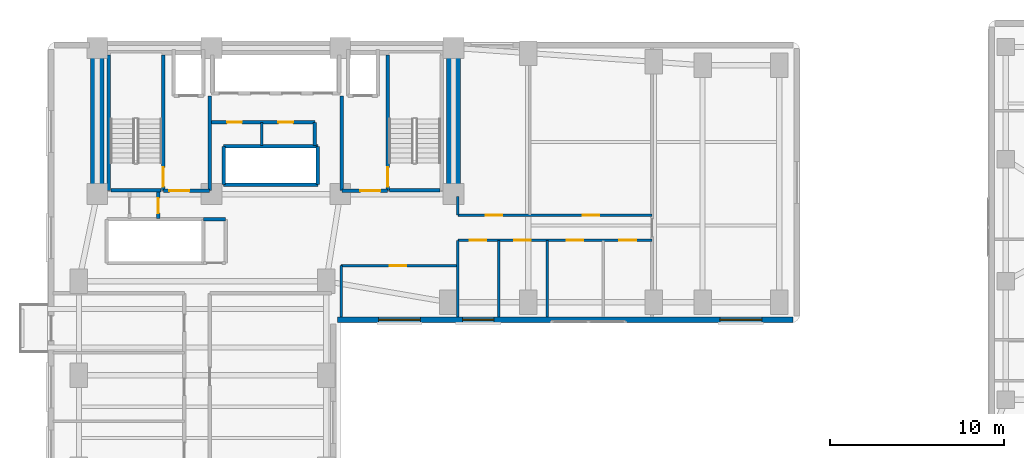
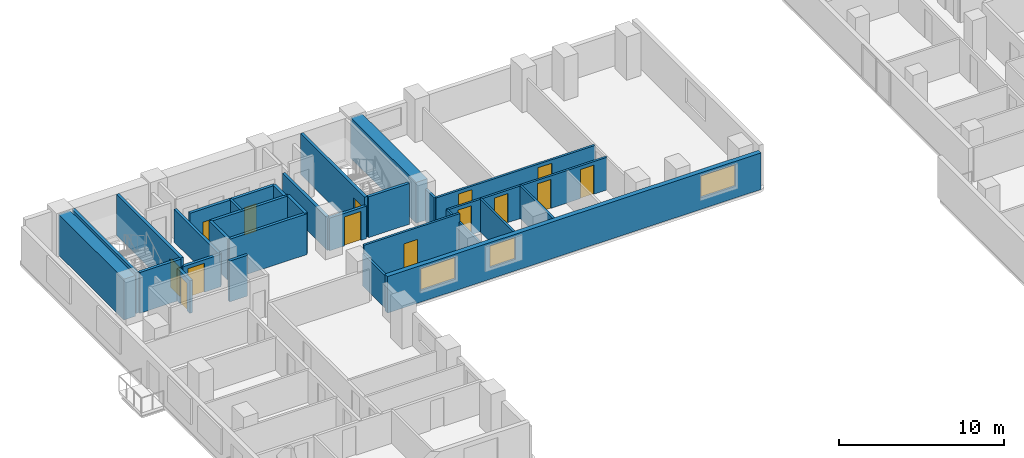
# One storey, part 11 of 18: 29 walls, 14 doors, 3 windows, 17 openings.
"""IFC4 building model written with IfcOpenShell, lengths in metres."""

from ifc_helpers import new_model, si_unit, direction, frame, frame_2d, origin, place, context, subcontext, project, spatial, rectangle, extrude, material, layer, layer_set, type_object, element, fill, save


model = new_model("IFC4")

# Units and contexts
model_context = context("Model", 3, precision=1e-05, world=origin(), true_north=direction((0.0, 1.0)))
body_context = subcontext(model_context, "Body", "Model", "MODEL_VIEW")
ifc_project = project(units=[si_unit("LENGTHUNIT", "METRE"), si_unit("AREAUNIT", "SQUARE_METRE"), si_unit("VOLUMEUNIT", "CUBIC_METRE"), si_unit("PLANEANGLEUNIT", "RADIAN"), si_unit("MASSUNIT", "GRAM", prefix="KILO")], contexts=[model_context])

# Site, building, storey
site_placement = place(None, origin())
site = spatial("IfcSite", under=ifc_project, at=site_placement, CompositionType="ELEMENT")
building_placement = place(site_placement, origin())
building = spatial("IfcBuilding", under=site, at=building_placement, Name="Kuzgunbayir Cultural Tower", CompositionType="ELEMENT")
storey_placement = place(building_placement, frame((0.0, 0.0, 53.199951171875)))
storey = spatial("IfcBuildingStorey", under=building, at=storey_placement, Name="L14", CompositionType="ELEMENT", Elevation=53.199951171875)

# Walls
ifc_material_1 = material(Name="Concrete C60/75", Category="concrete")
ifc_layer_1 = layer(ifc_material_1, 0.800048828125)
ifc_layer_set_1 = layer_set([ifc_layer_1], Name="Concrete C60/75")
wall_type_1 = type_object("IfcWallType", Name="WAL-CORE-800", PredefinedType="SHEAR", material=ifc_layer_set_1)
for number, where, z_axis, x_axis, name in (
    (1, (6.449951171875, 33.800048828125, 0.0), (0.0, 0.0, 1.0), (0.0, 1.0, 0.0), "L14 T1 Core West Shear Wall"),
    (2, (26.89990234375, 33.800048828125, 0.0), (0.0, 0.0, 1.0), (0.0, 1.0, 0.0), "L14 T1 Core East Shear Wall"),
):
    element("IfcWall", number, at=place(storey_placement, frame(where, z_axis=z_axis, x_axis=x_axis)), inside=storey, type_object=wall_type_1, Name=name, PredefinedType="SHEAR", context=body_context, shape_type="SweptSolid", body=[
        extrude(rectangle(XDim=7.949951171875, YDim=0.800048828125, at=frame_2d((3.97509765625, 0.0))), origin(), (0.0, 0.0, 1.0), 3.02001953125),
    ])

# Wall, openings, windows
ifc_material_2 = material(Name="Travertine Buff Ashlar", Category="masonry")
ifc_layer_2 = layer(ifc_material_2, 0.320068359375)
ifc_layer_set_2 = layer_set([ifc_layer_2], Name="Travertine Buff Ashlar")
wall_type_2 = type_object("IfcWallType", Name="WAL-EXT-STONE-320", PredefinedType="STANDARD", material=ifc_layer_set_2)
wall_1_placement = place(storey_placement, frame((20.25, 26.60009765625, 0.0), z_axis=(0.0, 0.0, 1.0), x_axis=(1.0, 0.0, 0.0)))
wall_1 = element("IfcWall", 3, at=wall_1_placement, inside=storey, type_object=wall_type_2, Name="L14 Wing B South Limestone Wall", PredefinedType="STANDARD", context=body_context, shape_type="SweptSolid", body=[
    extrude(rectangle(XDim=26.14990234375, YDim=0.320068359375, at=frame_2d((13.074951171875, 0.0))), origin(), (0.0, 0.0, 1.0), 2.7099609375),
])
opening_1_placement = place(wall_1_placement, frame((2.35009765625, 0.0, 0.85009765625)))
opening_1 = element("IfcOpeningElement", 4, at=opening_1_placement, cuts=wall_1, Name="Opening WO-24", PredefinedType="OPENING", context=body_context, shape_type="SweptSolid", body=[
    extrude(rectangle(XDim=2.39990234375, YDim=1.610107421875, at=frame_2d((1.199951171875, 0.80517578125))), frame((0.0, 0.169921875, 0.0), z_axis=(0.0, -1.0, 0.0), x_axis=(1.0, 0.0, 0.0)), (0.0, 0.0, 1.0), 0.340087890625),
])
opening_2_placement = place(wall_1_placement, frame((7.169921875, 0.0, 0.85009765625)))
opening_2 = element("IfcOpeningElement", 5, at=opening_2_placement, cuts=wall_1, Name="Opening WH-18", PredefinedType="OPENING", context=body_context, shape_type="SweptSolid", body=[
    extrude(rectangle(XDim=1.800048828125, YDim=1.610107421875, at=frame_2d((0.89990234375, 0.80517578125))), frame((0.0, 0.169921875, 0.0), z_axis=(0.0, -1.0, 0.0), x_axis=(1.0, 0.0, 0.0)), (0.0, 0.0, 1.0), 0.340087890625),
])
opening_3_placement = place(wall_1_placement, frame((21.949951171875, 0.0, 0.85009765625)))
opening_3 = element("IfcOpeningElement", 6, at=opening_3_placement, cuts=wall_1, Name="Opening WO-24", PredefinedType="OPENING", context=body_context, shape_type="SweptSolid", body=[
    extrude(rectangle(XDim=2.39990234375, YDim=1.610107421875, at=frame_2d((1.199951171875, 0.80517578125))), frame((0.0, 0.169921875, 0.0), z_axis=(0.0, -1.0, 0.0), x_axis=(1.0, 0.0, 0.0)), (0.0, 0.0, 1.0), 0.340087890625),
])
ifc_material_3 = material(Name="Solar-Control Triple Glazing", Category="glass")
window_type_1 = type_object("IfcWindowType", Name="WIN-HOTEL-18", PartitioningType="SINGLE_PANEL", PredefinedType="WINDOW", material=ifc_material_3)
window_1_placement = place(opening_2_placement, origin())
window_1 = element("IfcWindow", 7, at=window_1_placement, inside=storey, type_object=window_type_1, Name="L14 WBS Facade Window 5", OverallHeight=1.610107421875, OverallWidth=1.800048828125, PartitioningType="SINGLE_PANEL", PredefinedType="WINDOW", context=body_context, shape_type="SweptSolid", body=[
    extrude(rectangle(XDim=1.800048828125, YDim=1.610107421875, at=frame_2d((0.89990234375, 0.80517578125))), frame((0.0, 0.030029296875, 0.0), z_axis=(0.0, -1.0, 0.0), x_axis=(1.0, 0.0, 0.0)), (0.0, 0.0, 1.0), 0.06005859375),
])
fill(opening_2, window_1)
window_type_2 = type_object("IfcWindowType", Name="WIN-OFFICE-24", PartitioningType="SINGLE_PANEL", PredefinedType="WINDOW", material=ifc_material_3)
window_2_placement = place(opening_1_placement, origin())
window_2 = element("IfcWindow", 8, at=window_2_placement, inside=storey, type_object=window_type_2, Name="L14 WBS Facade Window 1", OverallHeight=1.610107421875, OverallWidth=2.39990234375, PartitioningType="SINGLE_PANEL", PredefinedType="WINDOW", context=body_context, shape_type="SweptSolid", body=[
    extrude(rectangle(XDim=2.39990234375, YDim=1.610107421875, at=frame_2d((1.199951171875, 0.80517578125))), frame((0.0, 0.030029296875, 0.0), z_axis=(0.0, -1.0, 0.0), x_axis=(1.0, 0.0, 0.0)), (0.0, 0.0, 1.0), 0.06005859375),
])
fill(opening_1, window_2)
window_3_placement = place(opening_3_placement, origin())
window_3 = element("IfcWindow", 9, at=window_3_placement, inside=storey, type_object=window_type_2, Name="L14 WBS Facade Window 13", OverallHeight=1.610107421875, OverallWidth=2.39990234375, PartitioningType="SINGLE_PANEL", PredefinedType="WINDOW", context=body_context, shape_type="SweptSolid", body=[
    extrude(rectangle(XDim=2.39990234375, YDim=1.610107421875, at=frame_2d((1.199951171875, 0.80517578125))), frame((0.0, 0.030029296875, 0.0), z_axis=(0.0, -1.0, 0.0), x_axis=(1.0, 0.0, 0.0)), (0.0, 0.0, 1.0), 0.06005859375),
])
fill(opening_3, window_3)

# Wall
ifc_material_4 = material(Name="Acoustic Double-Stud Drywall", Category="gypsum")
ifc_layer_3 = layer(ifc_material_4, 0.14990234375)
ifc_layer_set_3 = layer_set([ifc_layer_3], Name="Acoustic Double-Stud Drywall")
wall_type_3 = type_object("IfcWallType", Name="WAL-PART-ACOUSTIC-150", PredefinedType="PARTITIONING", material=ifc_layer_set_3)
wall_2_placement = place(storey_placement, frame((15.89990234375, 36.60009765625, 0.0), z_axis=(0.0, 0.0, 1.0), x_axis=(0.0, 1.0, 0.0)))
element("IfcWall", 10, at=wall_2_placement, inside=storey, type_object=wall_type_3, Name="L14 Core Closets Divider", PredefinedType="PARTITIONING", context=body_context, shape_type="SweptSolid", body=[
    extrude(rectangle(XDim=1.31982421875, YDim=0.14990234375, at=frame_2d((0.659912109375, 0.0))), origin(), (0.0, 0.0, 1.0), 3.02001953125),
])

# Wall, opening, door
wall_3_placement = place(storey_placement, frame((20.449951171875, 29.699951171875, 0.0), z_axis=(0.0, 0.0, 1.0), x_axis=(1.0, 0.0, 0.0)))
wall_3 = element("IfcWall", 11, at=wall_3_placement, inside=storey, type_object=wall_type_3, Name="L14 Waist Alcove North Wall", PredefinedType="PARTITIONING", context=body_context, shape_type="SweptSolid", body=[
    extrude(rectangle(XDim=6.699951171875, YDim=0.14990234375, at=frame_2d((3.35009765625, 0.0))), origin(), (0.0, 0.0, 1.0), 3.02001953125),
])
opening_4_placement = place(wall_3_placement, frame((2.800048828125, 0.0, 0.0)))
opening_4 = element("IfcOpeningElement", 12, at=opening_4_placement, cuts=wall_3, Name="Opening DI-90", PredefinedType="OPENING", context=body_context, shape_type="SweptSolid", body=[
    extrude(rectangle(XDim=0.949951171875, YDim=2.14990234375, at=frame_2d((0.47509765625, 1.074951171875))), frame((0.0, 0.0849609375, 0.0), z_axis=(0.0, -1.0, 0.0), x_axis=(1.0, 0.0, 0.0)), (0.0, 0.0, 1.0), 0.169921875),
])
ifc_material_5 = material(Name="Veneered Oak Single Leaf", Category="wood")
door_type_1 = type_object("IfcDoorType", Name="DR-INT-90", OperationType="NOTDEFINED", PredefinedType="DOOR", material=ifc_material_5)
door_1_placement = place(opening_4_placement, origin())
door_1 = element("IfcDoor", 13, at=door_1_placement, inside=storey, type_object=door_type_1, Name="L14 Waist Alcove Door", OperationType="SINGLE_SWING_RIGHT", OverallHeight=2.14990234375, OverallWidth=0.949951171875, PredefinedType="DOOR", context=body_context, shape_type="SweptSolid", body=[
    extrude(rectangle(XDim=0.949951171875, YDim=2.14990234375, at=frame_2d((0.47509765625, 1.074951171875))), frame((0.0, 0.02490234375, 0.0), z_axis=(0.0, -1.0, 0.0), x_axis=(1.0, 0.0, 0.0)), (0.0, 0.0, 1.0), 0.050048828125),
])
fill(opening_4, door_1)

# Walls
wall_4_placement = place(storey_placement, frame((20.449951171875, 26.75, 0.0), z_axis=(0.0, 0.0, 1.0), x_axis=(0.0, 1.0, 0.0)))
element("IfcWall", 14, at=wall_4_placement, inside=storey, type_object=wall_type_3, Name="L14 Waist Alcove West Wall", PredefinedType="PARTITIONING", context=body_context, shape_type="SweptSolid", body=[
    extrude(rectangle(XDim=2.949951171875, YDim=0.14990234375, at=frame_2d((1.47509765625, 0.0))), origin(), (0.0, 0.0, 1.0), 2.41015625),
])
wall_5_placement = place(storey_placement, frame((27.14990234375, 26.75, 0.0), z_axis=(0.0, 0.0, 1.0), x_axis=(0.0, 1.0, 0.0)))
element("IfcWall", 15, at=wall_5_placement, inside=storey, type_object=wall_type_3, Name="L14 Waist Alcove East Wall", PredefinedType="PARTITIONING", context=body_context, shape_type="SweptSolid", body=[
    extrude(rectangle(XDim=4.39990234375, YDim=0.14990234375, at=frame_2d((2.199951171875, 0.0))), origin(), (0.0, 0.0, 1.0), 2.41015625),
])

# Wall, openings, doors
wall_6_placement = place(storey_placement, frame((27.14990234375, 31.14990234375, 0.0), z_axis=(0.0, 0.0, 1.0), x_axis=(1.0, 0.0, 0.0)))
wall_6 = element("IfcWall", 16, at=wall_6_placement, inside=storey, type_object=wall_type_3, Name="L14 Wing B Corridor South Wall", PredefinedType="PARTITIONING", context=body_context, shape_type="SweptSolid", body=[
    extrude(rectangle(XDim=11.150146484375, YDim=0.14990234375, at=frame_2d((5.5751953125, 0.0))), origin(), (0.0, 0.0, 1.0), 2.41015625),
])
opening_5_placement = place(wall_6_placement, frame((0.68994140625, 0.0, 0.0)))
opening_5 = element("IfcOpeningElement", 17, at=opening_5_placement, cuts=wall_6, Name="Opening DI-90", PredefinedType="OPENING", context=body_context, shape_type="SweptSolid", body=[
    extrude(rectangle(XDim=0.949951171875, YDim=2.14990234375, at=frame_2d((0.47509765625, 1.074951171875))), frame((0.0, 0.0849609375, 0.0), z_axis=(0.0, -1.0, 0.0), x_axis=(1.0, 0.0, 0.0)), (0.0, 0.0, 1.0), 0.169921875),
])
opening_6_placement = place(wall_6_placement, frame((3.25, 0.0, 0.0)))
opening_6 = element("IfcOpeningElement", 18, at=opening_6_placement, cuts=wall_6, Name="Opening DI-90", PredefinedType="OPENING", context=body_context, shape_type="SweptSolid", body=[
    extrude(rectangle(XDim=0.949951171875, YDim=2.14990234375, at=frame_2d((0.47509765625, 1.074951171875))), frame((0.0, 0.0849609375, 0.0), z_axis=(0.0, -1.0, 0.0), x_axis=(1.0, 0.0, 0.0)), (0.0, 0.0, 1.0), 0.169921875),
])
opening_7_placement = place(wall_6_placement, frame((6.260009765625, 0.0, 0.0)))
opening_7 = element("IfcOpeningElement", 19, at=opening_7_placement, cuts=wall_6, Name="Opening DI-90", PredefinedType="OPENING", context=body_context, shape_type="SweptSolid", body=[
    extrude(rectangle(XDim=0.949951171875, YDim=2.14990234375, at=frame_2d((0.47509765625, 1.074951171875))), frame((0.0, 0.0849609375, 0.0), z_axis=(0.0, -1.0, 0.0), x_axis=(1.0, 0.0, 0.0)), (0.0, 0.0, 1.0), 0.169921875),
])
opening_8_placement = place(wall_6_placement, frame((9.280029296875, 0.0, 0.0)))
opening_8 = element("IfcOpeningElement", 20, at=opening_8_placement, cuts=wall_6, Name="Opening DI-90", PredefinedType="OPENING", context=body_context, shape_type="SweptSolid", body=[
    extrude(rectangle(XDim=0.949951171875, YDim=2.14990234375, at=frame_2d((0.47509765625, 1.074951171875))), frame((0.0, 0.0849609375, 0.0), z_axis=(0.0, -1.0, 0.0), x_axis=(1.0, 0.0, 0.0)), (0.0, 0.0, 1.0), 0.169921875),
])
door_2_placement = place(opening_5_placement, origin())
door_2 = element("IfcDoor", 21, at=door_2_placement, inside=storey, type_object=door_type_1, Name="L14 Wing B Wellness Consultation Studio 1 Door", OperationType="SINGLE_SWING_RIGHT", OverallHeight=2.14990234375, OverallWidth=0.949951171875, PredefinedType="DOOR", context=body_context, shape_type="SweptSolid", body=[
    extrude(rectangle(XDim=0.949951171875, YDim=2.14990234375, at=frame_2d((0.47509765625, 1.074951171875))), frame((0.0, 0.02490234375, 0.0), z_axis=(0.0, -1.0, 0.0), x_axis=(1.0, 0.0, 0.0)), (0.0, 0.0, 1.0), 0.050048828125),
])
fill(opening_5, door_2)
door_3_placement = place(opening_6_placement, origin())
door_3 = element("IfcDoor", 22, at=door_3_placement, inside=storey, type_object=door_type_1, Name="L14 Wing B Seminar Boardroom 2 Door", OperationType="SINGLE_SWING_LEFT", OverallHeight=2.14990234375, OverallWidth=0.949951171875, PredefinedType="DOOR", context=body_context, shape_type="SweptSolid", body=[
    extrude(rectangle(XDim=0.949951171875, YDim=2.14990234375, at=frame_2d((0.47509765625, 1.074951171875))), frame((0.0, 0.02490234375, 0.0), z_axis=(0.0, -1.0, 0.0), x_axis=(1.0, 0.0, 0.0)), (0.0, 0.0, 1.0), 0.050048828125),
])
fill(opening_6, door_3)
door_4_placement = place(opening_7_placement, origin())
door_4 = element("IfcDoor", 23, at=door_4_placement, inside=storey, type_object=door_type_1, Name="L14 Wing B Wellness Consultation Studio 3 Door", OperationType="SINGLE_SWING_RIGHT", OverallHeight=2.14990234375, OverallWidth=0.949951171875, PredefinedType="DOOR", context=body_context, shape_type="SweptSolid", body=[
    extrude(rectangle(XDim=0.949951171875, YDim=2.14990234375, at=frame_2d((0.47509765625, 1.074951171875))), frame((0.0, 0.02490234375, 0.0), z_axis=(0.0, -1.0, 0.0), x_axis=(1.0, 0.0, 0.0)), (0.0, 0.0, 1.0), 0.050048828125),
])
fill(opening_7, door_4)
door_5_placement = place(opening_8_placement, origin())
door_5 = element("IfcDoor", 24, at=door_5_placement, inside=storey, type_object=door_type_1, Name="L14 Wing B Art Publication Salon 4 Door", OperationType="SINGLE_SWING_LEFT", OverallHeight=2.14990234375, OverallWidth=0.949951171875, PredefinedType="DOOR", context=body_context, shape_type="SweptSolid", body=[
    extrude(rectangle(XDim=0.949951171875, YDim=2.14990234375, at=frame_2d((0.47509765625, 1.074951171875))), frame((0.0, 0.02490234375, 0.0), z_axis=(0.0, -1.0, 0.0), x_axis=(1.0, 0.0, 0.0)), (0.0, 0.0, 1.0), 0.050048828125),
])
fill(opening_8, door_5)

wall_7_placement = place(storey_placement, frame((27.14990234375, 32.60009765625, 0.0), z_axis=(0.0, 0.0, 1.0), x_axis=(1.0, 0.0, 0.0)))
wall_7 = element("IfcWall", 25, at=wall_7_placement, inside=storey, type_object=wall_type_3, Name="L14 Wing B Corridor North Wall", PredefinedType="PARTITIONING", context=body_context, shape_type="SweptSolid", body=[
    extrude(rectangle(XDim=11.150146484375, YDim=0.14990234375, at=frame_2d((5.5751953125, 0.0))), origin(), (0.0, 0.0, 1.0), 2.41015625),
])
opening_9_placement = place(wall_7_placement, frame((1.590087890625, 0.0, 0.0)))
opening_9 = element("IfcOpeningElement", 26, at=opening_9_placement, cuts=wall_7, Name="Opening DI-90", PredefinedType="OPENING", context=body_context, shape_type="SweptSolid", body=[
    extrude(rectangle(XDim=0.949951171875, YDim=2.14990234375, at=frame_2d((0.47509765625, 1.074951171875))), frame((0.0, 0.0849609375, 0.0), z_axis=(0.0, -1.0, 0.0), x_axis=(1.0, 0.0, 0.0)), (0.0, 0.0, 1.0), 0.169921875),
])
opening_10_placement = place(wall_7_placement, frame((7.159912109375, 0.0, 0.0)))
opening_10 = element("IfcOpeningElement", 27, at=opening_10_placement, cuts=wall_7, Name="Opening DI-90", PredefinedType="OPENING", context=body_context, shape_type="SweptSolid", body=[
    extrude(rectangle(XDim=0.949951171875, YDim=2.14990234375, at=frame_2d((0.47509765625, 1.074951171875))), frame((0.0, 0.0849609375, 0.0), z_axis=(0.0, -1.0, 0.0), x_axis=(1.0, 0.0, 0.0)), (0.0, 0.0, 1.0), 0.169921875),
])
door_6_placement = place(opening_9_placement, origin())
door_6 = element("IfcDoor", 28, at=door_6_placement, inside=storey, type_object=door_type_1, Name="L14 Wing B North Wellness Consultation Studio 1 Door", OperationType="SINGLE_SWING_RIGHT", OverallHeight=2.14990234375, OverallWidth=0.949951171875, PredefinedType="DOOR", context=body_context, shape_type="SweptSolid", body=[
    extrude(rectangle(XDim=0.949951171875, YDim=2.14990234375, at=frame_2d((0.47509765625, 1.074951171875))), frame((0.0, 0.02490234375, 0.0), z_axis=(0.0, -1.0, 0.0), x_axis=(1.0, 0.0, 0.0)), (0.0, 0.0, 1.0), 0.050048828125),
])
fill(opening_9, door_6)
door_7_placement = place(opening_10_placement, origin())
door_7 = element("IfcDoor", 29, at=door_7_placement, inside=storey, type_object=door_type_1, Name="L14 Wing B North Art Publication Salon 2 Door", OperationType="SINGLE_SWING_LEFT", OverallHeight=2.14990234375, OverallWidth=0.949951171875, PredefinedType="DOOR", context=body_context, shape_type="SweptSolid", body=[
    extrude(rectangle(XDim=0.949951171875, YDim=2.14990234375, at=frame_2d((0.47509765625, 1.074951171875))), frame((0.0, 0.02490234375, 0.0), z_axis=(0.0, -1.0, 0.0), x_axis=(1.0, 0.0, 0.0)), (0.0, 0.0, 1.0), 0.050048828125),
])
fill(opening_10, door_7)

# Walls
wall_8_placement = place(storey_placement, frame((27.14990234375, 32.60009765625, 0.0), z_axis=(0.0, 0.0, 1.0), x_axis=(0.0, 1.0, 0.0)))
element("IfcWall", 30, at=wall_8_placement, inside=storey, type_object=wall_type_3, Name="L14 Wing B North Core Closure Wall", PredefinedType="PARTITIONING", context=body_context, shape_type="SweptSolid", body=[
    extrude(rectangle(XDim=1.079833984375, YDim=0.14990234375, at=frame_2d((0.5400390625, 0.0))), origin(), (0.0, 0.0, 1.0), 2.41015625),
])
for number, where, z_axis, x_axis, name in (
    (31, (29.489990234375, 26.75, 0.0), (0.0, 0.0, 1.0), (0.0, 1.0, 0.0), "L14 Wing B South Partition 1"),
    (32, (32.280029296875, 26.75, 0.0), (0.0, 0.0, 1.0), (0.0, 1.0, 0.0), "L14 Wing B South Partition 2"),
):
    element("IfcWall", number, at=place(storey_placement, frame(where, z_axis=z_axis, x_axis=x_axis)), inside=storey, type_object=wall_type_3, Name=name, PredefinedType="PARTITIONING", context=body_context, shape_type="SweptSolid", body=[
        extrude(rectangle(XDim=4.39990234375, YDim=0.14990234375, at=frame_2d((2.199951171875, 0.0))), origin(), (0.0, 0.0, 1.0), 2.41015625),
    ])
ifc_material_6 = material(Name="Aerated Concrete Blockwork", Category="masonry")
ifc_layer_4 = layer(ifc_material_6, 0.199951171875)
ifc_layer_set_4 = layer_set([ifc_layer_4], Name="Aerated Concrete Blockwork")
wall_type_4 = type_object("IfcWallType", Name="WAL-PART-FIRE-200", PredefinedType="PARTITIONING", material=ifc_layer_set_4)
wall_9_placement = place(storey_placement, frame((12.89990234375, 34.0, 0.0), z_axis=(0.0, 0.0, 1.0), x_axis=(0.0, 1.0, 0.0)))
element("IfcWall", 33, at=wall_9_placement, inside=storey, type_object=wall_type_4, Name="L14 FFL-1 Lobby East Fire Wall", PredefinedType="PARTITIONING", context=body_context, shape_type="SweptSolid", body=[
    extrude(rectangle(XDim=5.449951171875, YDim=0.199951171875, at=frame_2d((2.72509765625, 0.0))), origin(), (0.0, 0.0, 1.0), 2.41015625),
])

# Wall, opening, door
wall_10_placement = place(storey_placement, frame((10.239990234375, 34.0, 0.0), z_axis=(0.0, 0.0, 1.0), x_axis=(1.0, 0.0, 0.0)))
wall_10 = element("IfcWall", 34, at=wall_10_placement, inside=storey, type_object=wall_type_4, Name="L14 FFL-1 Lobby South Fire Wall", PredefinedType="PARTITIONING", context=body_context, shape_type="SweptSolid", body=[
    extrude(rectangle(XDim=2.659912109375, YDim=0.199951171875, at=frame_2d((1.330078125, 0.0))), origin(), (0.0, 0.0, 1.0), 2.41015625),
])
opening_11_placement = place(wall_10_placement, frame((0.35009765625, 0.0, 0.0)))
opening_11 = element("IfcOpeningElement", 35, at=opening_11_placement, cuts=wall_10, Name="Opening DR-FFL-90", PredefinedType="OPENING", context=body_context, shape_type="SweptSolid", body=[
    extrude(rectangle(XDim=1.14990234375, YDim=2.14990234375, at=frame_2d((0.574951171875, 1.074951171875))), frame((0.0, 0.10986328125, 0.0), z_axis=(0.0, -1.0, 0.0), x_axis=(1.0, 0.0, 0.0)), (0.0, 0.0, 1.0), 0.219970703125),
])
ifc_material_7 = material(Name="Steel S355J2", Category="steel")
door_type_2 = type_object("IfcDoorType", Name="DR-FFL-90", OperationType="NOTDEFINED", PredefinedType="DOOR", material=ifc_material_7)
door_8_placement = place(opening_11_placement, origin())
door_8 = element("IfcDoor", 36, at=door_8_placement, inside=storey, type_object=door_type_2, Name="L14 Firefighting Lobby 1 Door", OperationType="SINGLE_SWING_LEFT", OverallHeight=2.14990234375, OverallWidth=1.14990234375, PredefinedType="DOOR", context=body_context, shape_type="SweptSolid", body=[
    extrude(rectangle(XDim=1.14990234375, YDim=2.14990234375, at=frame_2d((0.574951171875, 1.074951171875))), frame((0.0, 0.02490234375, 0.0), z_axis=(0.0, -1.0, 0.0), x_axis=(1.0, 0.0, 0.0)), (0.0, 0.0, 1.0), 0.050048828125),
])
fill(opening_11, door_8)

# Wall
wall_11_placement = place(storey_placement, frame((20.5, 34.0, 0.0), z_axis=(0.0, 0.0, 1.0), x_axis=(0.0, 1.0, 0.0)))
element("IfcWall", 37, at=wall_11_placement, inside=storey, type_object=wall_type_4, Name="L14 FFL-2 Lobby West Fire Wall", PredefinedType="PARTITIONING", context=body_context, shape_type="SweptSolid", body=[
    extrude(rectangle(XDim=5.449951171875, YDim=0.199951171875, at=frame_2d((2.72509765625, 0.0))), origin(), (0.0, 0.0, 1.0), 2.41015625),
])

# Wall, opening, door
wall_12_placement = place(storey_placement, frame((20.5, 34.0, 0.0), z_axis=(0.0, 0.0, 1.0), x_axis=(1.0, 0.0, 0.0)))
wall_12 = element("IfcWall", 38, at=wall_12_placement, inside=storey, type_object=wall_type_4, Name="L14 FFL-2 Lobby South Fire Wall", PredefinedType="PARTITIONING", context=body_context, shape_type="SweptSolid", body=[
    extrude(rectangle(XDim=2.60009765625, YDim=0.199951171875, at=frame_2d((1.300048828125, 0.0))), origin(), (0.0, 0.0, 1.0), 2.41015625),
])
opening_12_placement = place(wall_12_placement, frame((1.050048828125, 0.0, 0.0)))
opening_12 = element("IfcOpeningElement", 39, at=opening_12_placement, cuts=wall_12, Name="Opening DR-FFL-90", PredefinedType="OPENING", context=body_context, shape_type="SweptSolid", body=[
    extrude(rectangle(XDim=1.14990234375, YDim=2.14990234375, at=frame_2d((0.574951171875, 1.074951171875))), frame((0.0, 0.10986328125, 0.0), z_axis=(0.0, -1.0, 0.0), x_axis=(1.0, 0.0, 0.0)), (0.0, 0.0, 1.0), 0.219970703125),
])
door_9_placement = place(opening_12_placement, origin())
door_9 = element("IfcDoor", 40, at=door_9_placement, inside=storey, type_object=door_type_2, Name="L14 Firefighting Lobby 2 Door", OperationType="SINGLE_SWING_RIGHT", OverallHeight=2.14990234375, OverallWidth=1.14990234375, PredefinedType="DOOR", context=body_context, shape_type="SweptSolid", body=[
    extrude(rectangle(XDim=1.14990234375, YDim=2.14990234375, at=frame_2d((0.574951171875, 1.074951171875))), frame((0.0, 0.02490234375, 0.0), z_axis=(0.0, -1.0, 0.0), x_axis=(1.0, 0.0, 0.0)), (0.0, 0.0, 1.0), 0.050048828125),
])
fill(opening_12, door_9)

wall_13_placement = place(storey_placement, frame((9.949951171875, 32.39990234375, 0.0), z_axis=(0.0, 0.0, 1.0), x_axis=(0.0, 1.0, 0.0)))
wall_13 = element("IfcWall", 41, at=wall_13_placement, inside=storey, type_object=wall_type_4, Name="L14 West Core Service Closet Wall", PredefinedType="PARTITIONING", context=body_context, shape_type="SweptSolid", body=[
    extrude(rectangle(XDim=1.52001953125, YDim=0.199951171875, at=frame_2d((0.760009765625, 0.0))), origin(), (0.0, 0.0, 1.0), 2.41015625),
])
opening_13_placement = place(wall_13_placement, frame((0.320068359375, 0.0, 0.0)))
opening_13 = element("IfcOpeningElement", 42, at=opening_13_placement, cuts=wall_13, Name="Opening DR-RSR-60", PredefinedType="OPENING", context=body_context, shape_type="SweptSolid", body=[
    extrude(rectangle(XDim=0.85009765625, YDim=2.050048828125, at=frame_2d((0.425048828125, 1.02490234375))), frame((0.0, 0.10986328125, 0.0), z_axis=(0.0, -1.0, 0.0), x_axis=(1.0, 0.0, 0.0)), (0.0, 0.0, 1.0), 0.219970703125),
])
ifc_material_8 = material(Name="Steel Access Leaf", Category="steel")
door_type_3 = type_object("IfcDoorType", Name="DR-RISER-60", OperationType="NOTDEFINED", PredefinedType="DOOR", material=ifc_material_8)
door_10_placement = place(opening_13_placement, origin())
door_10 = element("IfcDoor", 43, at=door_10_placement, inside=storey, type_object=door_type_3, Name="L14 Cleaner Store Door", OperationType="SINGLE_SWING_LEFT", OverallHeight=2.050048828125, OverallWidth=0.85009765625, PredefinedType="DOOR", context=body_context, shape_type="SweptSolid", body=[
    extrude(rectangle(XDim=0.85009765625, YDim=2.050048828125, at=frame_2d((0.425048828125, 1.02490234375))), frame((0.0, 0.02490234375, 0.0), z_axis=(0.0, -1.0, 0.0), x_axis=(1.0, 0.0, 0.0)), (0.0, 0.0, 1.0), 0.050048828125),
])
fill(opening_13, door_10)

# Wall
wall_14_placement = place(storey_placement, frame((12.550048828125, 32.35009765625, 0.0), z_axis=(0.0, 0.0, 1.0), x_axis=(1.0, 0.0, 0.0)))
element("IfcWall", 44, at=wall_14_placement, inside=storey, type_object=wall_type_4, Name="L14 Center Core Switchgear North Wall", PredefinedType="PARTITIONING", context=body_context, shape_type="SweptSolid", body=[
    extrude(rectangle(XDim=1.27001953125, YDim=0.199951171875, at=frame_2d((0.635009765625, 0.0))), origin(), (0.0, 0.0, 1.0), 3.02001953125),
])

# Wall, openings, doors
wall_15_placement = place(storey_placement, frame((13.0, 37.919921875, 0.0), z_axis=(0.0, 0.0, 1.0), x_axis=(1.0, 0.0, 0.0)))
wall_15 = element("IfcWall", 45, at=wall_15_placement, inside=storey, type_object=wall_type_4, Name="L14 Core Closets North Wall", PredefinedType="PARTITIONING", context=body_context, shape_type="SweptSolid", body=[
    extrude(rectangle(XDim=5.949951171875, YDim=0.199951171875, at=frame_2d((2.97509765625, 0.0))), origin(), (0.0, 0.0, 1.0), 3.02001953125),
])
opening_14_placement = place(wall_15_placement, frame((0.89990234375, 0.0, 0.0)))
opening_14 = element("IfcOpeningElement", 46, at=opening_14_placement, cuts=wall_15, Name="Opening DR-RSR-60", PredefinedType="OPENING", context=body_context, shape_type="SweptSolid", body=[
    extrude(rectangle(XDim=0.85009765625, YDim=2.050048828125, at=frame_2d((0.425048828125, 1.02490234375))), frame((0.0, 0.10986328125, 0.0), z_axis=(0.0, -1.0, 0.0), x_axis=(1.0, 0.0, 0.0)), (0.0, 0.0, 1.0), 0.219970703125),
])
opening_15_placement = place(wall_15_placement, frame((3.85009765625, 0.0, 0.0)))
opening_15 = element("IfcOpeningElement", 47, at=opening_15_placement, cuts=wall_15, Name="Opening DR-RSR-60", PredefinedType="OPENING", context=body_context, shape_type="SweptSolid", body=[
    extrude(rectangle(XDim=0.85009765625, YDim=2.050048828125, at=frame_2d((0.425048828125, 1.02490234375))), frame((0.0, 0.10986328125, 0.0), z_axis=(0.0, -1.0, 0.0), x_axis=(1.0, 0.0, 0.0)), (0.0, 0.0, 1.0), 0.219970703125),
])
door_11_placement = place(opening_14_placement, origin())
door_11 = element("IfcDoor", 48, at=door_11_placement, inside=storey, type_object=door_type_3, Name="L14 Electrical Switchgear Closet Door", OperationType="SINGLE_SWING_RIGHT", OverallHeight=2.050048828125, OverallWidth=0.85009765625, PredefinedType="DOOR", context=body_context, shape_type="SweptSolid", body=[
    extrude(rectangle(XDim=0.85009765625, YDim=2.050048828125, at=frame_2d((0.425048828125, 1.02490234375))), frame((0.0, 0.02490234375, 0.0), z_axis=(0.0, -1.0, 0.0), x_axis=(1.0, 0.0, 0.0)), (0.0, 0.0, 1.0), 0.050048828125),
])
fill(opening_14, door_11)
door_12_placement = place(opening_15_placement, origin())
door_12 = element("IfcDoor", 49, at=door_12_placement, inside=storey, type_object=door_type_3, Name="L14 Janitor Store Door", OperationType="SINGLE_SWING_LEFT", OverallHeight=2.050048828125, OverallWidth=0.85009765625, PredefinedType="DOOR", context=body_context, shape_type="SweptSolid", body=[
    extrude(rectangle(XDim=0.85009765625, YDim=2.050048828125, at=frame_2d((0.425048828125, 1.02490234375))), frame((0.0, 0.02490234375, 0.0), z_axis=(0.0, -1.0, 0.0), x_axis=(1.0, 0.0, 0.0)), (0.0, 0.0, 1.0), 0.050048828125),
])
fill(opening_15, door_12)

# Walls
wall_16_placement = place(storey_placement, frame((18.949951171875, 36.60009765625, 0.0), z_axis=(0.0, 0.0, 1.0), x_axis=(0.0, 1.0, 0.0)))
element("IfcWall", 50, at=wall_16_placement, inside=storey, type_object=wall_type_4, Name="L14 Core Closets East Wall", PredefinedType="PARTITIONING", context=body_context, shape_type="SweptSolid", body=[
    extrude(rectangle(XDim=1.31982421875, YDim=0.199951171875, at=frame_2d((0.659912109375, 0.0))), origin(), (0.0, 0.0, 1.0), 3.02001953125),
])
ifc_material_9 = material(Name="Concrete C40/50", Category="concrete")
ifc_layer_5 = layer(ifc_material_9, 0.199951171875)
ifc_layer_set_5 = layer_set([ifc_layer_5], Name="Concrete C40/50")
wall_type_5 = type_object("IfcWallType", Name="WAL-SHAFT-200", PredefinedType="MOVABLE", material=ifc_layer_set_5)
for number, where, z_axis, x_axis, name in (
    (51, (13.699951171875, 34.35009765625, 0.0), (0.0, 0.0, 1.0), (1.0, 0.0, 0.0), "L14 Mid-Rise Lift Front Wall"),
    (52, (13.699951171875, 36.550048828125, 0.0), (0.0, 0.0, 1.0), (1.0, 0.0, 0.0), "L14 Mid-Rise Lift Shaft North Wall"),
):
    element("IfcWall", number, at=place(storey_placement, frame(where, z_axis=z_axis, x_axis=x_axis)), inside=storey, type_object=wall_type_5, Name=name, PredefinedType="MOVABLE", context=body_context, shape_type="SweptSolid", body=[
        extrude(rectangle(XDim=5.420166015625, YDim=0.199951171875, at=frame_2d((2.7099609375, 0.0))), origin(), (0.0, 0.0, 1.0), 3.02001953125),
    ])
for number, where, z_axis, x_axis, name in (
    (53, (13.699951171875, 34.35009765625, 0.0), (0.0, 0.0, 1.0), (0.0, 1.0, 0.0), "L14 Mid-Rise Lift Shaft West Wall"),
    (54, (19.1201171875, 34.35009765625, 0.0), (0.0, 0.0, 1.0), (0.0, 1.0, 0.0), "L14 Mid-Rise Lift Shaft East Wall"),
):
    element("IfcWall", number, at=place(storey_placement, frame(where, z_axis=z_axis, x_axis=x_axis)), inside=storey, type_object=wall_type_5, Name=name, PredefinedType="MOVABLE", context=body_context, shape_type="SweptSolid", body=[
        extrude(rectangle(XDim=2.199951171875, YDim=0.199951171875, at=frame_2d((1.10009765625, 0.0))), origin(), (0.0, 0.0, 1.0), 3.02001953125),
    ])
ifc_layer_6 = layer(ifc_material_9, 0.199951171875)
ifc_layer_set_6 = layer_set([ifc_layer_6], Name="Concrete C40/50")
wall_type_6 = type_object("IfcWallType", Name="WAL-STAIR-RC-200", PredefinedType="SHEAR", material=ifc_layer_set_6)
wall_17_placement = place(storey_placement, frame((7.1201171875, 34.02001953125, 0.0), z_axis=(0.0, 0.0, 1.0), x_axis=(0.0, 1.0, 0.0)))
element("IfcWall", 55, at=wall_17_placement, inside=storey, type_object=wall_type_6, Name="L14 Stair ST-1 West Structural Wall", PredefinedType="SHEAR", context=body_context, shape_type="SweptSolid", body=[
    extrude(rectangle(XDim=7.780029296875, YDim=0.199951171875, at=frame_2d((3.89013671875, 0.0))), origin(), (0.0, 0.0, 1.0), 3.02001953125),
])

# Wall, opening, door
wall_18_placement = place(storey_placement, frame((10.239990234375, 34.02001953125, 0.0), z_axis=(0.0, 0.0, 1.0), x_axis=(0.0, 1.0, 0.0)))
wall_18 = element("IfcWall", 56, at=wall_18_placement, inside=storey, type_object=wall_type_6, Name="L14 Stair ST-1 East Structural Wall", PredefinedType="SHEAR", context=body_context, shape_type="SweptSolid", body=[
    extrude(rectangle(XDim=7.780029296875, YDim=0.199951171875, at=frame_2d((3.89013671875, 0.0))), origin(), (0.0, 0.0, 1.0), 3.02001953125),
])
opening_16_placement = place(wall_18_placement, frame((0.219970703125, 0.0, 0.0)))
opening_16 = element("IfcOpeningElement", 57, at=opening_16_placement, cuts=wall_18, Name="Opening DR-STAIR-90", PredefinedType="OPENING", context=body_context, shape_type="SweptSolid", body=[
    extrude(rectangle(XDim=1.10009765625, YDim=2.14990234375, at=frame_2d((0.550048828125, 1.074951171875))), frame((0.0, 0.10986328125, 0.0), z_axis=(0.0, -1.0, 0.0), x_axis=(1.0, 0.0, 0.0)), (0.0, 0.0, 1.0), 0.219970703125),
])
door_type_4 = type_object("IfcDoorType", Name="DR-STAIR-90", OperationType="NOTDEFINED", PredefinedType="DOOR", material=ifc_material_7)
door_13_placement = place(opening_16_placement, origin())
door_13 = element("IfcDoor", 58, at=door_13_placement, inside=storey, type_object=door_type_4, Name="L14 Stair ST-1 Fire Door", OperationType="SINGLE_SWING_RIGHT", OverallHeight=2.14990234375, OverallWidth=1.10009765625, PredefinedType="DOOR", context=body_context, shape_type="SweptSolid", body=[
    extrude(rectangle(XDim=1.10009765625, YDim=2.14990234375, at=frame_2d((0.550048828125, 1.074951171875))), frame((0.0, 0.02490234375, 0.0), z_axis=(0.0, -1.0, 0.0), x_axis=(1.0, 0.0, 0.0)), (0.0, 0.0, 1.0), 0.050048828125),
])
fill(opening_16, door_13)

# Wall
wall_19_placement = place(storey_placement, frame((7.239990234375, 34.02001953125, 0.0), z_axis=(0.0, 0.0, 1.0), x_axis=(1.0, 0.0, 0.0)))
element("IfcWall", 59, at=wall_19_placement, inside=storey, type_object=wall_type_6, Name="L14 Stair ST-1 South Structural Wall", PredefinedType="SHEAR", context=body_context, shape_type="SweptSolid", body=[
    extrude(rectangle(XDim=2.880126953125, YDim=0.199951171875, at=frame_2d((1.43994140625, 0.0))), origin(), (0.0, 0.0, 1.0), 3.02001953125),
])

# Wall, opening, door
wall_20_placement = place(storey_placement, frame((23.1201171875, 34.02001953125, 0.0), z_axis=(0.0, 0.0, 1.0), x_axis=(0.0, 1.0, 0.0)))
wall_20 = element("IfcWall", 60, at=wall_20_placement, inside=storey, type_object=wall_type_6, Name="L14 Stair ST-2 West Structural Wall", PredefinedType="SHEAR", context=body_context, shape_type="SweptSolid", body=[
    extrude(rectangle(XDim=7.780029296875, YDim=0.199951171875, at=frame_2d((3.89013671875, 0.0))), origin(), (0.0, 0.0, 1.0), 3.02001953125),
])
opening_17_placement = place(wall_20_placement, frame((0.219970703125, 0.0, 0.0)))
opening_17 = element("IfcOpeningElement", 61, at=opening_17_placement, cuts=wall_20, Name="Opening DR-STAIR-90", PredefinedType="OPENING", context=body_context, shape_type="SweptSolid", body=[
    extrude(rectangle(XDim=1.10009765625, YDim=2.14990234375, at=frame_2d((0.550048828125, 1.074951171875))), frame((0.0, 0.10986328125, 0.0), z_axis=(0.0, -1.0, 0.0), x_axis=(1.0, 0.0, 0.0)), (0.0, 0.0, 1.0), 0.219970703125),
])
door_14_placement = place(opening_17_placement, origin())
door_14 = element("IfcDoor", 62, at=door_14_placement, inside=storey, type_object=door_type_4, Name="L14 Stair ST-2 Fire Door", OperationType="SINGLE_SWING_RIGHT", OverallHeight=2.14990234375, OverallWidth=1.10009765625, PredefinedType="DOOR", context=body_context, shape_type="SweptSolid", body=[
    extrude(rectangle(XDim=1.10009765625, YDim=2.14990234375, at=frame_2d((0.550048828125, 1.074951171875))), frame((0.0, 0.02490234375, 0.0), z_axis=(0.0, -1.0, 0.0), x_axis=(1.0, 0.0, 0.0)), (0.0, 0.0, 1.0), 0.050048828125),
])
fill(opening_17, door_14)

# Wall
wall_21_placement = place(storey_placement, frame((23.239990234375, 34.02001953125, 0.0), z_axis=(0.0, 0.0, 1.0), x_axis=(1.0, 0.0, 0.0)))
element("IfcWall", 63, at=wall_21_placement, inside=storey, type_object=wall_type_6, Name="L14 Stair ST-2 South Structural Wall", PredefinedType="SHEAR", context=body_context, shape_type="SweptSolid", body=[
    extrude(rectangle(XDim=2.880126953125, YDim=0.199951171875, at=frame_2d((1.43994140625, 0.0))), origin(), (0.0, 0.0, 1.0), 3.02001953125),
])

save(model, "model.ifc")
